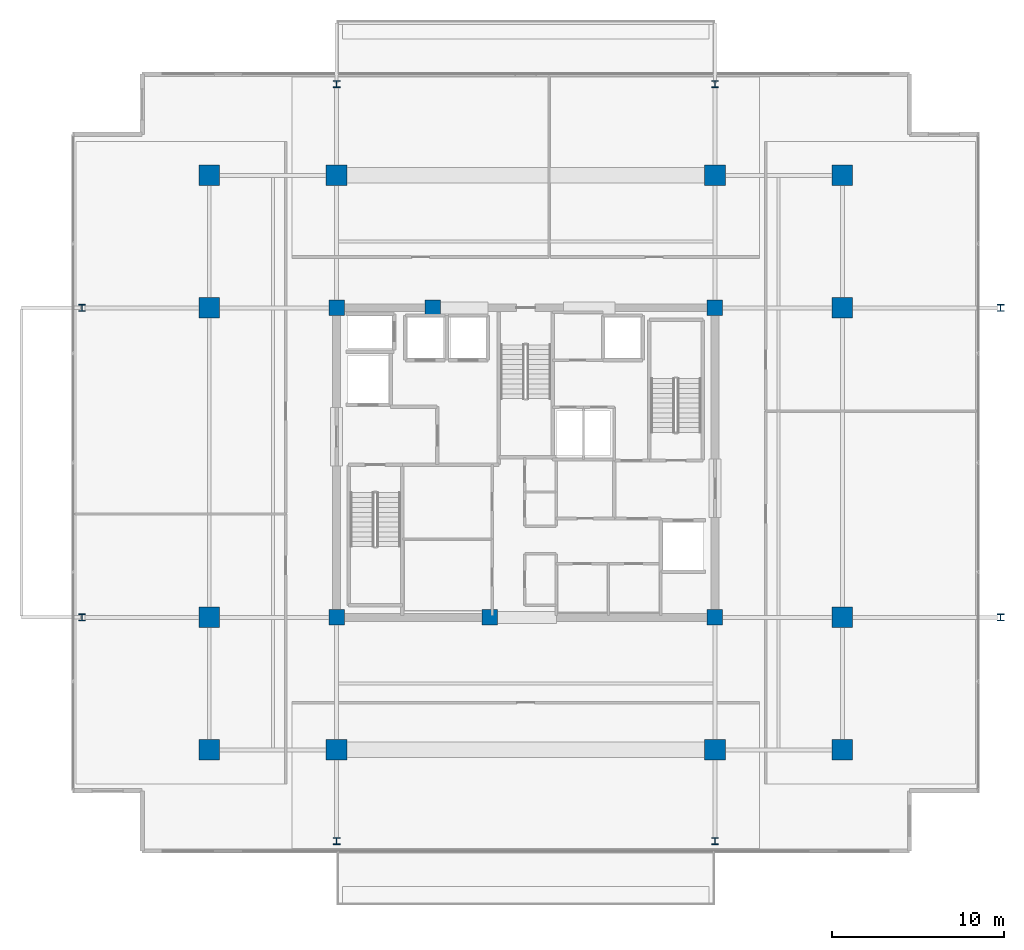
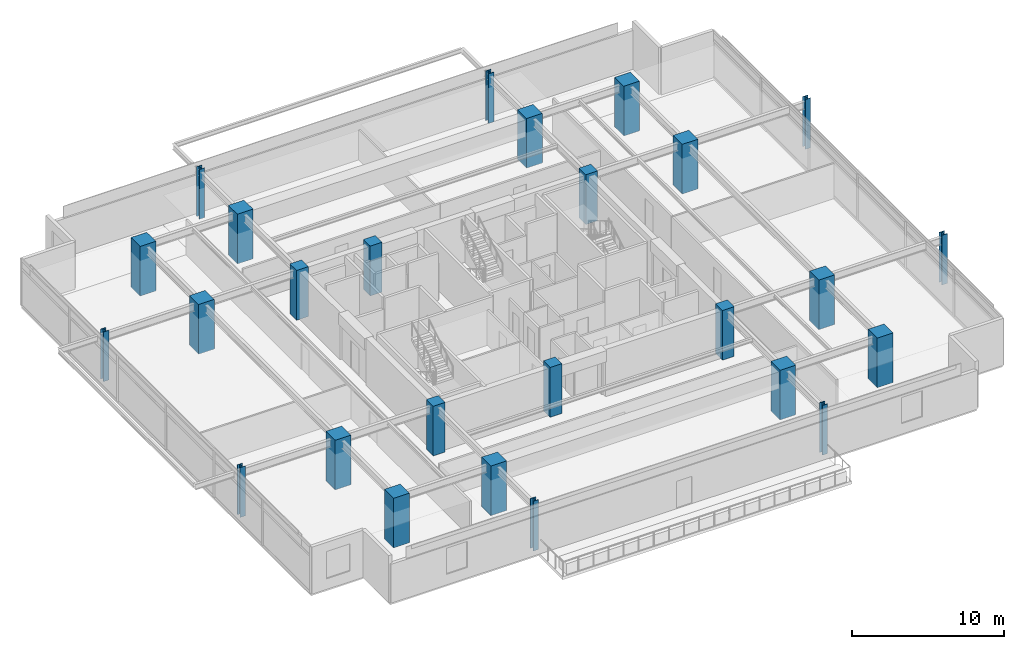
# One storey, part 1 of 23: 26 columns.
"""IFC4 building model written with IfcOpenShell, lengths in metres."""

from ifc_helpers import new_model, si_unit, direction, frame, origin, origin_2d, place, context, subcontext, project, spatial, rectangle, i_section, extrude, material, material_profile, profile_set, type_object, element, save


model = new_model("IFC4")

# Units and contexts
model_context = context("Model", 3, precision=1e-05, world=origin(), true_north=direction((0.0, 1.0)))
body_context = subcontext(model_context, "Body", "Model", "MODEL_VIEW")
ifc_project = project(units=[si_unit("LENGTHUNIT", "METRE"), si_unit("AREAUNIT", "SQUARE_METRE"), si_unit("VOLUMEUNIT", "CUBIC_METRE"), si_unit("PLANEANGLEUNIT", "RADIAN"), si_unit("MASSUNIT", "GRAM", prefix="KILO")], contexts=[model_context])

# Site, building, storey
site_placement = place(None, origin())
site = spatial("IfcSite", under=ifc_project, at=site_placement, CompositionType="ELEMENT")
building_placement = place(site_placement, origin())
building = spatial("IfcBuilding", under=site, at=building_placement, Name="Kovane Verandah Tower", CompositionType="ELEMENT")
storey_placement = place(building_placement, frame((0.0, 0.0, 243.199951171875)))
storey = spatial("IfcBuildingStorey", under=building, at=storey_placement, Name="L56", CompositionType="ELEMENT", Elevation=243.199951171875)

# Columns
ifc_material_1 = material(Name="Concrete C60/75", Category="concrete")
ifc_material_profile_1 = material_profile(ifc_material_1, rectangle(XDim=1.199951171875, YDim=1.199951171875, at=origin_2d()), Name="RC1200x1200")
ifc_profile_set_1 = profile_set([ifc_material_profile_1], Name="Concrete C60/75")
column_type_1 = type_object("IfcColumnType", Name="COL-RC1200", PredefinedType="COLUMN", material=ifc_profile_set_1)
for number, where, z_axis, x_axis, name in (
    (1, (29.0, 10.800048828125, 0.0), (0.0, 0.0, 1.0), (1.0, 0.0, 0.0), "L56 Tower Mega-Column MC-S1"),
    (2, (51.0, 10.800048828125, 0.0), (0.0, 0.0, 1.0), (1.0, 0.0, 0.0), "L56 Tower Mega-Column MC-S2"),
    (3, (29.0, 44.199951171875, 0.0), (0.0, 0.0, 1.0), (1.0, 0.0, 0.0), "L56 Tower Mega-Column MC-N1"),
    (4, (51.0, 44.199951171875, 0.0), (0.0, 0.0, 1.0), (1.0, 0.0, 0.0), "L56 Tower Mega-Column MC-N2"),
    (5, (21.60009765625, 18.5, 0.0), (0.0, 0.0, 1.0), (1.0, 0.0, 0.0), "L56 Tower Mega-Column MC-W1"),
    (6, (21.60009765625, 36.5, 0.0), (0.0, 0.0, 1.0), (1.0, 0.0, 0.0), "L56 Tower Mega-Column MC-W2"),
    (7, (58.39990234375, 18.5, 0.0), (0.0, 0.0, 1.0), (1.0, 0.0, 0.0), "L56 Tower Mega-Column MC-E1"),
    (8, (58.39990234375, 36.5, 0.0), (0.0, 0.0, 1.0), (1.0, 0.0, 0.0), "L56 Tower Mega-Column MC-E2"),
    (9, (21.60009765625, 10.800048828125, 0.0), (0.0, 0.0, 1.0), (1.0, 0.0, 0.0), "L56 Tower Mega-Column MC-SW"),
    (10, (58.39990234375, 10.800048828125, 0.0), (0.0, 0.0, 1.0), (1.0, 0.0, 0.0), "L56 Tower Mega-Column MC-SE"),
    (11, (21.60009765625, 44.199951171875, 0.0), (0.0, 0.0, 1.0), (1.0, 0.0, 0.0), "L56 Tower Mega-Column MC-NW"),
    (12, (58.39990234375, 44.199951171875, 0.0), (0.0, 0.0, 1.0), (1.0, 0.0, 0.0), "L56 Tower Mega-Column MC-NE"),
):
    element("IfcColumn", number, at=place(storey_placement, frame(where, z_axis=z_axis, x_axis=x_axis)), inside=storey, type_object=column_type_1, Name=name, PredefinedType="COLUMN", context=body_context, shape_type="SweptSolid", body=[
        extrude(rectangle(XDim=1.199951171875, YDim=1.199951171875, at=origin_2d()), origin(), (0.0, 0.0, 1.0), 4.0),
    ])
ifc_material_2 = material(Name="Steel S460", Category="steel")
ifc_material_profile_2 = material_profile(ifc_material_2, i_section(OverallWidth=0.403076171875, OverallDepth=0.406494140625, WebThickness=0.026611328125, FlangeThickness=0.04296875, FilletRadius=0.01513671875, at=origin_2d()), Name="UC356x406x340")
ifc_profile_set_2 = profile_set([ifc_material_profile_2], Name="Steel S460")
column_type_2 = type_object("IfcColumnType", Name="COL-UC340", PredefinedType="COLUMN", material=ifc_profile_set_2)
for number, where, z_axis, x_axis, name in (
    (13, (14.199951171875, 18.5, 0.0), (0.0, 0.0, 1.0), (1.0, 0.0, 0.0), "L56 Verandah Perimeter Column VC-W1"),
    (14, (14.199951171875, 36.5, 0.0), (0.0, 0.0, 1.0), (1.0, 0.0, 0.0), "L56 Verandah Perimeter Column VC-W2"),
    (15, (67.60009765625, 18.5, 0.0), (0.0, 0.0, 1.0), (1.0, 0.0, 0.0), "L56 Verandah Perimeter Column VC-E1"),
    (16, (67.60009765625, 36.5, 0.0), (0.0, 0.0, 1.0), (1.0, 0.0, 0.0), "L56 Verandah Perimeter Column VC-E2"),
    (17, (29.0, 5.5, 0.0), (0.0, 0.0, 1.0), (1.0, 0.0, 0.0), "L56 Verandah Perimeter Column VC-S1"),
    (18, (51.0, 5.5, 0.0), (0.0, 0.0, 1.0), (1.0, 0.0, 0.0), "L56 Verandah Perimeter Column VC-S2"),
    (19, (29.0, 49.5, 0.0), (0.0, 0.0, 1.0), (1.0, 0.0, 0.0), "L56 Verandah Perimeter Column VC-N1"),
    (20, (51.0, 49.5, 0.0), (0.0, 0.0, 1.0), (1.0, 0.0, 0.0), "L56 Verandah Perimeter Column VC-N2"),
):
    element("IfcColumn", number, at=place(storey_placement, frame(where, z_axis=z_axis, x_axis=x_axis)), inside=storey, type_object=column_type_2, Name=name, PredefinedType="COLUMN", context=body_context, shape_type="SweptSolid", body=[
        extrude(i_section(OverallWidth=0.403076171875, OverallDepth=0.406494140625, WebThickness=0.026611328125, FlangeThickness=0.04296875, FilletRadius=0.01513671875, at=origin_2d()), origin(), (0.0, 0.0, 1.0), 4.0),
    ])
ifc_material_profile_3 = material_profile(ifc_material_1, rectangle(XDim=0.89990234375, YDim=0.89990234375, at=origin_2d()), Name="RC900x900")
ifc_profile_set_3 = profile_set([ifc_material_profile_3], Name="Concrete C60/75")
column_type_3 = type_object("IfcColumnType", Name="PIL-RC900", PredefinedType="PILASTER", material=ifc_profile_set_3)
for number, where, z_axis, x_axis, name in (
    (21, (29.0, 18.5, 0.0), (0.0, 0.0, 1.0), (1.0, 0.0, 0.0), "L56 Core Pilaster CP-SW"),
    (22, (51.0, 18.5, 0.0), (0.0, 0.0, 1.0), (1.0, 0.0, 0.0), "L56 Core Pilaster CP-SE"),
    (23, (29.0, 36.5, 0.0), (0.0, 0.0, 1.0), (1.0, 0.0, 0.0), "L56 Core Pilaster CP-NW"),
    (24, (51.0, 36.5, 0.0), (0.0, 0.0, 1.0), (1.0, 0.0, 0.0), "L56 Core Pilaster CP-NE"),
    (25, (37.89990234375, 18.5, 0.0), (0.0, 0.0, 1.0), (1.0, 0.0, 0.0), "L56 Core Pilaster CP-S"),
    (26, (34.60009765625, 36.5, 0.0), (0.0, 0.0, 1.0), (1.0, 0.0, 0.0), "L56 Core Pilaster CP-N"),
):
    element("IfcColumn", number, at=place(storey_placement, frame(where, z_axis=z_axis, x_axis=x_axis)), inside=storey, type_object=column_type_3, Name=name, PredefinedType="PILASTER", context=body_context, shape_type="SweptSolid", body=[
        extrude(rectangle(XDim=0.89990234375, YDim=0.89990234375, at=origin_2d()), origin(), (0.0, 0.0, 1.0), 4.0),
    ])

save(model, "model.ifc")
